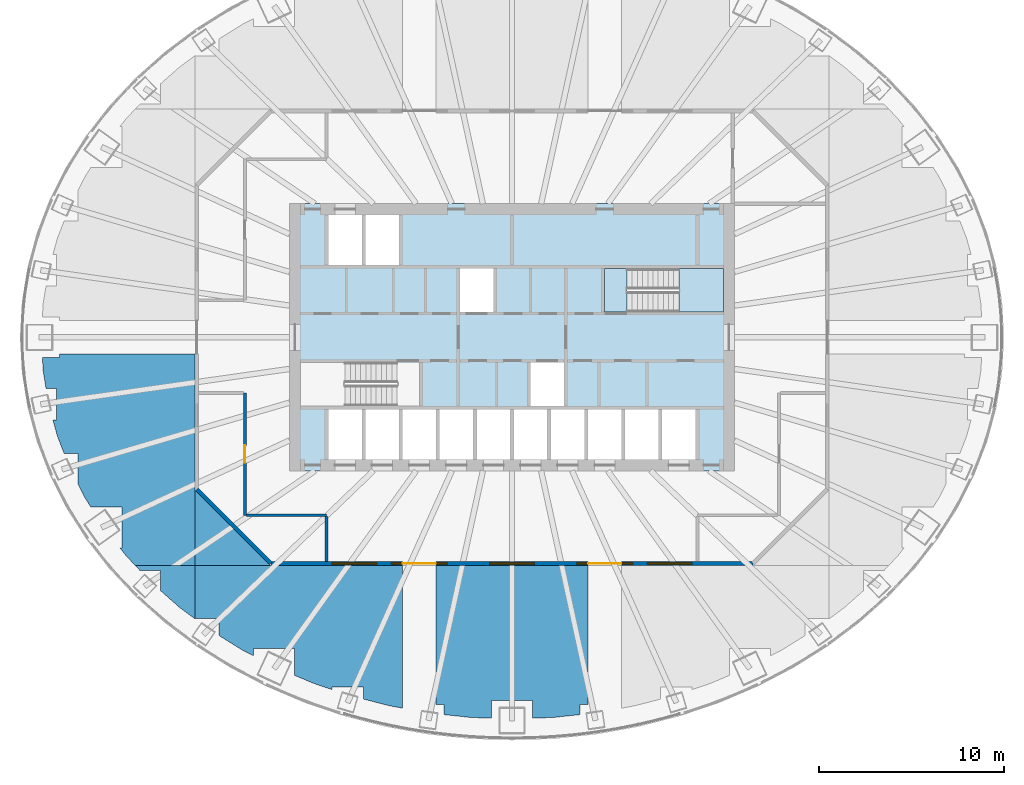
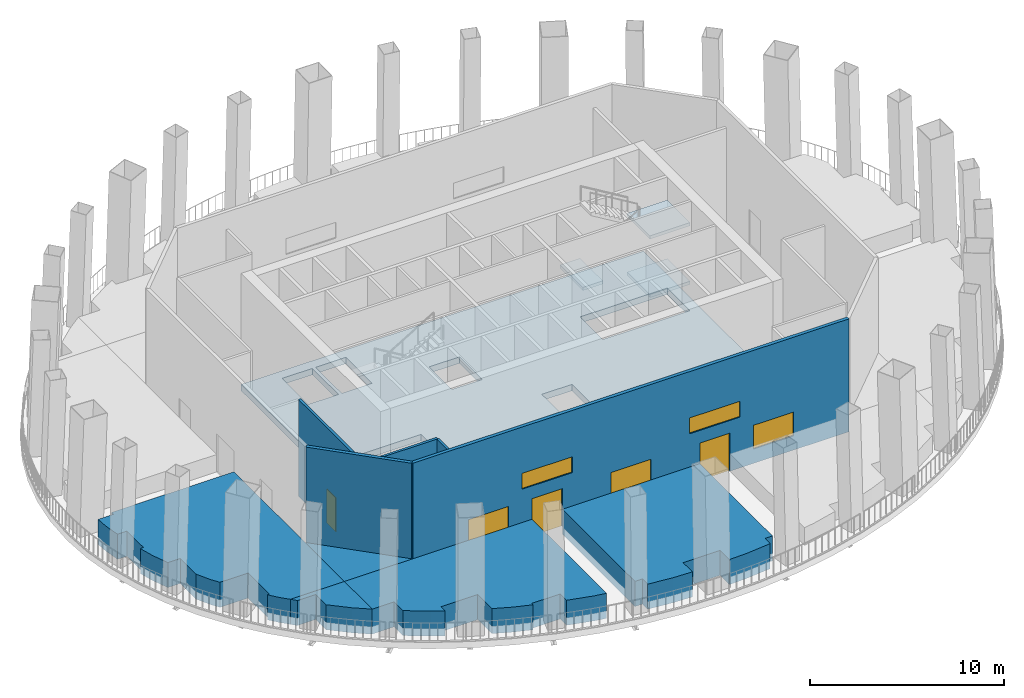
# One storey, part 3 of 13: 10 walls, 5 windows, 4 slabs, 3 doors, 8 openings, 1 element without a shape of its own.
"""IFC4 building model written with IfcOpenShell, lengths in metres."""

from ifc_helpers import new_model, si_unit, direction, frame, frame_2d, origin, place, context, subcontext, project, spatial, polyline, rectangle, outline, extrude, material, layer, layer_set, type_object, element, fill, aggregate, save


model = new_model("IFC4")

# Units and contexts
model_context = context("Model", 3, precision=1e-05, world=origin(), true_north=direction((0.0, 1.0)))
body_context = subcontext(model_context, "Body", "Model", "MODEL_VIEW")
ifc_project = project(units=[si_unit("LENGTHUNIT", "METRE"), si_unit("AREAUNIT", "SQUARE_METRE"), si_unit("VOLUMEUNIT", "CUBIC_METRE"), si_unit("PLANEANGLEUNIT", "RADIAN"), si_unit("MASSUNIT", "GRAM", prefix="KILO")], contexts=[model_context])

# Site, building, storey
site_placement = place(None, origin())
site = spatial("IfcSite", under=ifc_project, at=site_placement, CompositionType="ELEMENT")
building_placement = place(site_placement, origin())
building = spatial("IfcBuilding", under=site, at=building_placement, Name="Siaravel Broadcast Tower", CompositionType="ELEMENT")
storey_placement = place(building_placement, frame((0.0, 0.0, 85.199951171875)))
storey = spatial("IfcBuildingStorey", under=building, at=storey_placement, Name="L20", CompositionType="ELEMENT", Elevation=85.199951171875)

# Slab
ifc_material_1 = material(Name="Concrete C40/50", Category="concrete")
ifc_layer_1 = layer(ifc_material_1, 0.39990234375)
ifc_layer_set_1 = layer_set([ifc_layer_1], Name="Concrete C40/50")
slab_type_1 = type_object("IfcSlabType", Name="Core floor slab 400", PredefinedType="FLOOR", material=ifc_layer_set_1)
slab_1_placement = place(storey_placement, frame((0.0, 0.0, -0.39990234375)))
element("IfcSlab", 1, at=slab_1_placement, inside=storey, type_object=slab_type_1, Name="L20 core floor", PredefinedType="FLOOR", context=body_context, shape_type="SweptSolid", body=[
    extrude(outline(polyline([(-12.0, -7.199951171875), (-12.0, 7.199951171875), (12.0, 7.199951171875), (12.0, -7.199951171875), (-12.0, -7.199951171875)]), holes=[polyline([(11.3994140625, 1.3505859375), (11.3994140625, 3.699462890625), (6.200439453125, 3.699462890625), (6.200439453125, 1.3505859375), (11.3994140625, 1.3505859375)]), polyline([(9.89990234375, -3.89990234375), (8.10009765625, -3.89990234375), (8.10009765625, -6.60009765625), (9.89990234375, -6.60009765625), (9.89990234375, -3.89990234375)]), polyline([(7.89990234375, -3.89990234375), (6.10009765625, -3.89990234375), (6.10009765625, -6.60009765625), (7.89990234375, -6.60009765625), (7.89990234375, -3.89990234375)]), polyline([(5.89990234375, -3.89990234375), (4.10009765625, -3.89990234375), (4.10009765625, -6.60009765625), (5.89990234375, -6.60009765625), (5.89990234375, -3.89990234375)]), polyline([(3.89990234375, -3.89990234375), (2.10009765625, -3.89990234375), (2.10009765625, -6.60009765625), (3.89990234375, -6.60009765625), (3.89990234375, -3.89990234375)]), polyline([(2.800048828125, -1.35009765625), (1.0, -1.35009765625), (1.0, -3.699951171875), (2.800048828125, -3.699951171875), (2.800048828125, -1.35009765625)]), polyline([(1.89990234375, -3.89990234375), (0.10009765625, -3.89990234375), (0.10009765625, -6.60009765625), (1.89990234375, -6.60009765625), (1.89990234375, -3.89990234375)]), polyline([(-0.10009765625, -3.89990234375), (-1.89990234375, -3.89990234375), (-1.89990234375, -6.60009765625), (-0.10009765625, -6.60009765625), (-0.10009765625, -3.89990234375)]), polyline([(-1.0, 3.699951171875), (-2.800048828125, 3.699951171875), (-2.800048828125, 1.35009765625), (-1.0, 1.35009765625), (-1.0, 3.699951171875)]), polyline([(-2.10009765625, -3.89990234375), (-3.89990234375, -3.89990234375), (-3.89990234375, -6.60009765625), (-2.10009765625, -6.60009765625), (-2.10009765625, -3.89990234375)]), polyline([(-4.10009765625, -3.89990234375), (-5.89990234375, -3.89990234375), (-5.89990234375, -6.60009765625), (-4.10009765625, -6.60009765625), (-4.10009765625, -3.89990234375)]), polyline([(-6.10009765625, -3.89990234375), (-7.89990234375, -3.89990234375), (-7.89990234375, -6.60009765625), (-6.10009765625, -6.60009765625), (-6.10009765625, -3.89990234375)]), polyline([(-6.10009765625, 6.60009765625), (-7.89990234375, 6.60009765625), (-7.89990234375, 3.89990234375), (-6.10009765625, 3.89990234375), (-6.10009765625, 6.60009765625)]), polyline([(-11.3994140625, -1.3505859375), (-11.3994140625, -3.699462890625), (-6.200439453125, -3.699462890625), (-6.200439453125, -1.3505859375), (-11.3994140625, -1.3505859375)]), polyline([(-8.10009765625, -3.89990234375), (-9.89990234375, -3.89990234375), (-9.89990234375, -6.60009765625), (-8.10009765625, -6.60009765625), (-8.10009765625, -3.89990234375)]), polyline([(-8.10009765625, 6.60009765625), (-9.89990234375, 6.60009765625), (-9.89990234375, 3.89990234375), (-8.10009765625, 3.89990234375), (-8.10009765625, 6.60009765625)])]), origin(), (0.0, 0.0, 1.0), 0.39990234375),
])

# Stair, slabs
stair_type = type_object("IfcStairType", Name="Core exit stair", PredefinedType="HALF_TURN_STAIR", material=ifc_material_1)
stair_placement = place(storey_placement, origin())
stair = element("IfcStair", 2, at=stair_placement, inside=storey, type_object=stair_type, Name="L20 Exit stair ST-2", PredefinedType="HALF_TURN_STAIR")
ifc_layer_2 = layer(ifc_material_1, 0.199951171875)
ifc_layer_set_2 = layer_set([ifc_layer_2], Name="Concrete C40/50")
slab_type_2 = type_object("IfcSlabType", Name="Stair landing", PredefinedType="LANDING", material=ifc_layer_set_2)
slab_2_placement = place(storey_placement, frame((0.0, 0.0, 1.650146484375)))
slab_2 = element("IfcSlab", 3, at=slab_2_placement, type_object=slab_type_2, Name="ST-2 landing 1", PredefinedType="LANDING", context=body_context, shape_type="SweptSolid", body=[
    extrude(outline(polyline([(9.0, 1.35009765625), (11.39990234375, 1.35009765625), (11.39990234375, 3.699951171875), (9.0, 3.699951171875), (9.0, 1.35009765625)])), origin(), (0.0, 0.0, 1.0), 0.199951171875),
])
slab_3_placement = place(storey_placement, frame((0.0, 0.0, 3.5)))
slab_3 = element("IfcSlab", 4, at=slab_3_placement, type_object=slab_type_2, Name="ST-2 landing 2", PredefinedType="LANDING", context=body_context, shape_type="SweptSolid", body=[
    extrude(outline(polyline([(5.0, 1.35009765625), (6.199951171875, 1.35009765625), (6.199951171875, 3.699951171875), (5.0, 3.699951171875), (5.0, 1.35009765625)])), origin(), (0.0, 0.0, 1.0), 0.199951171875),
])
slab_4_placement = place(storey_placement, frame((0.0, 0.0, 5.35009765625)))
slab_4 = element("IfcSlab", 5, at=slab_4_placement, type_object=slab_type_2, Name="ST-2 landing 3", PredefinedType="LANDING", context=body_context, shape_type="SweptSolid", body=[
    extrude(outline(polyline([(9.0, 1.35009765625), (11.39990234375, 1.35009765625), (11.39990234375, 3.699951171875), (9.0, 3.699951171875), (9.0, 1.35009765625)])), origin(), (0.0, 0.0, 1.0), 0.199951171875),
])
aggregate(stair, [slab_2, slab_3, slab_4])

# Wall, opening, door
ifc_material_2 = material(Name="Gypsum board partition", Category="gypsum")
ifc_layer_3 = layer(ifc_material_2, 0.14990234375)
ifc_layer_set_3 = layer_set([ifc_layer_3], Name="Gypsum board partition")
wall_type_1 = type_object("IfcWallType", Name="Corridor wall 150", PredefinedType="PARTITIONING", material=ifc_layer_set_3)
wall_1_placement = place(storey_placement, frame((-14.39990234375, -9.60009765625, 0.0), z_axis=(0.0, 0.0, 1.0), x_axis=(0.0, 1.0, 0.0)))
wall_1 = element("IfcWall", 6, at=wall_1_placement, inside=storey, type_object=wall_type_1, Name="L20 partition 2", PredefinedType="PARTITIONING", context=body_context, shape_type="SweptSolid", body=[
    extrude(rectangle(XDim=6.60009765625, YDim=0.14990234375, at=frame_2d((3.300048828125, 0.0))), origin(), (0.0, 0.0, 1.0), 6.10009765625),
])
opening_1_placement = place(wall_1_placement, frame((2.824951171875, 0.0, 0.0)))
opening_1 = element("IfcOpeningElement", 7, at=opening_1_placement, cuts=wall_1, Name="Opening L20-003", PredefinedType="OPENING", context=body_context, shape_type="SweptSolid", body=[
    extrude(rectangle(XDim=0.949951171875, YDim=2.14990234375, at=frame_2d((0.47509765625, 1.074951171875))), frame((0.0, 0.0849609375, 0.0), z_axis=(0.0, -1.0, 0.0), x_axis=(1.0, 0.0, 0.0)), (0.0, 0.0, 1.0), 0.169921875),
])
ifc_material_3 = material(Name="Timber veneer", Category="wood")
door_type_1 = type_object("IfcDoorType", Name="Office door 950", OperationType="SINGLE_SWING_LEFT", PredefinedType="DOOR", material=ifc_material_3)
door_1_placement = place(opening_1_placement, origin())
door_1 = element("IfcDoor", 8, at=door_1_placement, inside=storey, type_object=door_type_1, Name="L20 door to Presenter studio", OperationType="SINGLE_SWING_LEFT", OverallHeight=2.14990234375, OverallWidth=0.949951171875, PredefinedType="DOOR", context=body_context, shape_type="SweptSolid", body=[
    extrude(rectangle(XDim=0.949951171875, YDim=2.14990234375, at=frame_2d((0.47509765625, 1.074951171875))), frame((0.0, 0.02490234375, 0.0), z_axis=(0.0, -1.0, 0.0), x_axis=(1.0, 0.0, 0.0)), (0.0, 0.0, 1.0), 0.050048828125),
])
fill(opening_1, door_1)

# Walls
wall_2_placement = place(storey_placement, frame((-10.0, -9.60009765625, 0.0), z_axis=(0.0, 0.0, 1.0), x_axis=(-1.0, 0.0, 0.0)))
element("IfcWall", 9, at=wall_2_placement, inside=storey, type_object=wall_type_1, Name="L20 partition 7", PredefinedType="PARTITIONING", context=body_context, shape_type="SweptSolid", body=[
    extrude(rectangle(XDim=4.322998046875, YDim=0.14990234375, at=frame_2d((2.16162109375, 0.0))), origin(), (0.0, 0.0, 1.0), 6.10009765625),
])
wall_3_placement = place(storey_placement, frame((-10.0, -12.10009765625, 0.0), z_axis=(0.0, 0.0, 1.0), x_axis=(0.0, 1.0, 0.0)))
element("IfcWall", 10, at=wall_3_placement, inside=storey, type_object=wall_type_1, Name="L20 partition 9", PredefinedType="PARTITIONING", context=body_context, shape_type="SweptSolid", body=[
    extrude(rectangle(XDim=2.423095703125, YDim=0.14990234375, at=frame_2d((1.21142578125, 0.0))), origin(), (0.0, 0.0, 1.0), 6.10009765625),
])
ifc_layer_4 = layer(ifc_material_1, 1.0)
ifc_layer_set_4 = layer_set([ifc_layer_4], Name="Concrete C40/50")
wall_type_2 = type_object("IfcWallType", Name="Garden planter box", PredefinedType="ELEMENTEDWALL", material=ifc_layer_set_4)
wall_4_placement = place(storey_placement, frame((0.0, 0.0, -0.39990234375)))
element("IfcWall", 11, at=wall_4_placement, inside=storey, type_object=wall_type_2, Name="L20 garden planting bed 01", PredefinedType="ELEMENTEDWALL", context=body_context, shape_type="SweptSolid", body=[
    extrude(outline(polyline([(1.10009765625, -20.541748046875), (2.2119140625, -20.502197265625), (3.653564453125, -20.348388671875), (3.653564453125, -19.810302734375), (4.10009765625, -19.810302734375), (4.10009765625, -12.300048828125), (-4.10009765625, -12.300048828125), (-4.10009765625, -19.810302734375), (-3.653564453125, -19.810302734375), (-3.653564453125, -20.348388671875), (-2.2119140625, -20.502197265625), (-1.10009765625, -20.541748046875), (-1.10009765625, -19.5830078125), (1.10009765625, -19.5830078125), (1.10009765625, -20.541748046875)])), origin(), (0.0, 0.0, 1.0), 1.579833984375),
])
wall_5_placement = place(storey_placement, frame((0.0, 0.0, -0.39990234375)))
element("IfcWall", 12, at=wall_5_placement, inside=storey, type_object=wall_type_2, Name="L20 garden planting bed 02", PredefinedType="ELEMENTEDWALL", context=body_context, shape_type="SweptSolid", body=[
    extrude(outline(polyline([(-8.016845703125, -19.509033203125), (-6.568603515625, -19.87939453125), (-5.89990234375, -19.99951171875), (-5.89990234375, -12.300048828125), (-13.04150390625, -12.300048828125), (-17.10009765625, -12.300048828125), (-17.10009765625, -15.177490234375), (-15.790771484375, -15.177490234375), (-15.790771484375, -16.091064453125), (-14.556884765625, -16.858642578125), (-13.926513671875, -17.184326171875), (-13.926513671875, -16.770263671875), (-11.726318359375, -16.770263671875), (-11.726318359375, -18.22998046875), (-10.725830078125, -18.65234375), (-9.716796875, -18.9912109375), (-9.716796875, -18.852783203125), (-8.016845703125, -18.852783203125), (-8.016845703125, -19.509033203125)])), origin(), (0.0, 0.0, 1.0), 1.579833984375),
])
wall_6_placement = place(storey_placement, frame((0.0, 0.0, -0.39990234375)))
element("IfcWall", 13, at=wall_6_placement, inside=storey, type_object=wall_type_2, Name="L20 garden planting bed 04", PredefinedType="ELEMENTEDWALL", context=body_context, shape_type="SweptSolid", body=[
    extrude(outline(polyline([(-17.10009765625, -15.177490234375), (-17.10009765625, -12.300048828125), (-20.32080078125, -12.300048828125), (-20.056396484375, -12.579345703125), (-18.962890625, -12.579345703125), (-18.962890625, -13.652587890625), (-17.94580078125, -14.552734375), (-17.10498046875, -15.177490234375), (-17.10009765625, -15.177490234375)])), origin(), (0.0, 0.0, 1.0), 1.579833984375),
])
wall_7_placement = place(storey_placement, frame((0.0, 0.0, -0.39990234375)))
element("IfcWall", 14, at=wall_7_placement, inside=storey, type_object=wall_type_2, Name="L20 garden planting bed 06", PredefinedType="ELEMENTEDWALL", context=body_context, shape_type="SweptSolid", body=[
    extrude(outline(polyline([(-17.10009765625, -8.241455078125), (-17.10009765625, -12.300048828125), (-13.04150390625, -12.300048828125), (-17.10009765625, -8.241455078125)])), origin(), (0.0, 0.0, 1.0), 1.579833984375),
])
wall_8_placement = place(storey_placement, frame((0.0, 0.0, -0.39990234375)))
element("IfcWall", 15, at=wall_8_placement, inside=storey, type_object=wall_type_2, Name="L20 garden planting bed 08", PredefinedType="ELEMENTEDWALL", context=body_context, shape_type="SweptSolid", body=[
    extrude(outline(polyline([(-20.32080078125, -12.300048828125), (-17.10009765625, -12.300048828125), (-17.10009765625, -8.241455078125), (-17.10009765625, -0.89990234375), (-24.393310546875, -0.89990234375), (-24.393310546875, -1.10009765625), (-25.3203125, -1.10009765625), (-25.28271484375, -1.793701171875), (-25.125244140625, -2.76416015625), (-24.557373046875, -2.76416015625), (-24.557373046875, -4.464111328125), (-24.75048828125, -4.464111328125), (-24.5146484375, -5.32666015625), (-24.145751953125, -6.275390625), (-23.40869140625, -6.275390625), (-23.40869140625, -7.900634765625), (-23.00146484375, -8.69775390625), (-22.706298828125, -9.15771484375), (-21.031494140625, -9.15771484375), (-21.031494140625, -11.35791015625), (-21.140380859375, -11.35791015625), (-20.78955078125, -11.804443359375), (-20.32080078125, -12.300048828125)])), origin(), (0.0, 0.0, 1.0), 1.579833984375),
])

# Wall, openings, doors, windows
ifc_layer_5 = layer(ifc_material_1, 0.199951171875)
ifc_layer_set_5 = layer_set([ifc_layer_5], Name="Concrete C40/50")
wall_type_3 = type_object("IfcWallType", Name="Sky lobby enclosure wall", PredefinedType="STANDARD", material=ifc_layer_set_5)
wall_9_placement = place(storey_placement, frame((13.0, -12.199951171875, 0.080078125), z_axis=(0.0, 0.0, 1.0), x_axis=(-1.0, 0.0, 0.0)))
wall_9 = element("IfcWall", 16, at=wall_9_placement, inside=storey, type_object=wall_type_3, Name="L20 sky lobby enclosure wall S", PredefinedType="STANDARD", context=body_context, shape_type="SweptSolid", body=[
    extrude(rectangle(XDim=26.0, YDim=0.199951171875, at=frame_2d((13.0, 0.0))), origin(), (0.0, 0.0, 1.0), 7.119873046875),
])
opening_2_placement = place(wall_9_placement, frame((7.10009765625, 0.0, 0.0)))
opening_2 = element("IfcOpeningElement", 17, at=opening_2_placement, cuts=wall_9, Name="Opening L20-GDN-S1", PredefinedType="OPENING", context=body_context, shape_type="SweptSolid", body=[
    extrude(rectangle(XDim=1.800048828125, YDim=2.39990234375, at=frame_2d((0.89990234375, 1.199951171875))), frame((0.0, 0.10986328125, 0.0), z_axis=(0.0, -1.0, 0.0), x_axis=(1.0, 0.0, 0.0)), (0.0, 0.0, 1.0), 0.219970703125),
])
opening_3_placement = place(wall_9_placement, frame((17.10009765625, 0.0, 0.0)))
opening_3 = element("IfcOpeningElement", 18, at=opening_3_placement, cuts=wall_9, Name="Opening L20-GDN-S2", PredefinedType="OPENING", context=body_context, shape_type="SweptSolid", body=[
    extrude(rectangle(XDim=1.800048828125, YDim=2.39990234375, at=frame_2d((0.89990234375, 1.199951171875))), frame((0.0, 0.10986328125, 0.0), z_axis=(0.0, -1.0, 0.0), x_axis=(1.0, 0.0, 0.0)), (0.0, 0.0, 1.0), 0.219970703125),
])
opening_4_placement = place(wall_9_placement, frame((3.300048828125, 0.0, 0.89990234375)))
opening_4 = element("IfcOpeningElement", 19, at=opening_4_placement, cuts=wall_9, Name="Opening WX-1", PredefinedType="OPENING", context=body_context, shape_type="SweptSolid", body=[
    extrude(rectangle(XDim=2.39990234375, YDim=1.5, at=frame_2d((1.199951171875, 0.75))), frame((0.0, 0.10986328125, 0.0), z_axis=(0.0, -1.0, 0.0), x_axis=(1.0, 0.0, 0.0)), (0.0, 0.0, 1.0), 0.219970703125),
])
opening_5_placement = place(wall_9_placement, frame((11.800048828125, 0.0, 0.89990234375)))
opening_5 = element("IfcOpeningElement", 20, at=opening_5_placement, cuts=wall_9, Name="Opening WX-1", PredefinedType="OPENING", context=body_context, shape_type="SweptSolid", body=[
    extrude(rectangle(XDim=2.39990234375, YDim=1.5, at=frame_2d((1.199951171875, 0.75))), frame((0.0, 0.10986328125, 0.0), z_axis=(0.0, -1.0, 0.0), x_axis=(1.0, 0.0, 0.0)), (0.0, 0.0, 1.0), 0.219970703125),
])
opening_6_placement = place(wall_9_placement, frame((20.300048828125, 0.0, 0.89990234375)))
opening_6 = element("IfcOpeningElement", 21, at=opening_6_placement, cuts=wall_9, Name="Opening WX-1", PredefinedType="OPENING", context=body_context, shape_type="SweptSolid", body=[
    extrude(rectangle(XDim=2.39990234375, YDim=1.5, at=frame_2d((1.199951171875, 0.75))), frame((0.0, 0.10986328125, 0.0), z_axis=(0.0, -1.0, 0.0), x_axis=(1.0, 0.0, 0.0)), (0.0, 0.0, 1.0), 0.219970703125),
])
opening_7_placement = place(wall_9_placement, frame((6.5, 0.0, 3.199951171875)))
opening_7 = element("IfcOpeningElement", 22, at=opening_7_placement, cuts=wall_9, Name="Opening WX-3", PredefinedType="OPENING", context=body_context, shape_type="SweptSolid", body=[
    extrude(rectangle(XDim=3.0, YDim=1.0, at=frame_2d((1.5, 0.5))), frame((0.0, 0.10986328125, 0.0), z_axis=(0.0, -1.0, 0.0), x_axis=(1.0, 0.0, 0.0)), (0.0, 0.0, 1.0), 0.219970703125),
])
opening_8_placement = place(wall_9_placement, frame((16.5, 0.0, 3.199951171875)))
opening_8 = element("IfcOpeningElement", 23, at=opening_8_placement, cuts=wall_9, Name="Opening WX-3", PredefinedType="OPENING", context=body_context, shape_type="SweptSolid", body=[
    extrude(rectangle(XDim=3.0, YDim=1.0, at=frame_2d((1.5, 0.5))), frame((0.0, 0.10986328125, 0.0), z_axis=(0.0, -1.0, 0.0), x_axis=(1.0, 0.0, 0.0)), (0.0, 0.0, 1.0), 0.219970703125),
])
ifc_material_4 = material(Name="Aluminium 6063-T6", Category="aluminium")
door_type_2 = type_object("IfcDoorType", Name="Garden door", OperationType="DOUBLE_DOOR_SINGLE_SWING", PredefinedType="DOOR", material=ifc_material_4)
door_2_placement = place(opening_2_placement, origin())
door_2 = element("IfcDoor", 24, at=door_2_placement, inside=storey, type_object=door_type_2, Name="L20 garden door S1", OperationType="DOUBLE_DOOR_SINGLE_SWING", OverallHeight=2.39990234375, OverallWidth=1.800048828125, PredefinedType="DOOR", context=body_context, shape_type="SweptSolid", body=[
    extrude(rectangle(XDim=1.800048828125, YDim=2.39990234375, at=frame_2d((0.89990234375, 1.199951171875))), frame((0.0, 0.02490234375, 0.0), z_axis=(0.0, -1.0, 0.0), x_axis=(1.0, 0.0, 0.0)), (0.0, 0.0, 1.0), 0.050048828125),
])
fill(opening_2, door_2)
door_3_placement = place(opening_3_placement, origin())
door_3 = element("IfcDoor", 25, at=door_3_placement, inside=storey, type_object=door_type_2, Name="L20 garden door S2", OperationType="DOUBLE_DOOR_SINGLE_SWING", OverallHeight=2.39990234375, OverallWidth=1.800048828125, PredefinedType="DOOR", context=body_context, shape_type="SweptSolid", body=[
    extrude(rectangle(XDim=1.800048828125, YDim=2.39990234375, at=frame_2d((0.89990234375, 1.199951171875))), frame((0.0, 0.02490234375, 0.0), z_axis=(0.0, -1.0, 0.0), x_axis=(1.0, 0.0, 0.0)), (0.0, 0.0, 1.0), 0.050048828125),
])
fill(opening_3, door_3)
window_type_1 = type_object("IfcWindowType", Name="Sky lobby clerestory window 3000x1000", PartitioningType="SINGLE_PANEL", PredefinedType="WINDOW", material=ifc_material_4)
window_1_placement = place(opening_7_placement, origin())
window_1 = element("IfcWindow", 26, at=window_1_placement, inside=storey, type_object=window_type_1, Name="L20 sky lobby clerestory window S1", OverallHeight=1.0, OverallWidth=3.0, PartitioningType="SINGLE_PANEL", PredefinedType="WINDOW", context=body_context, shape_type="SweptSolid", body=[
    extrude(rectangle(XDim=3.0, YDim=1.0, at=frame_2d((1.5, 0.5))), frame((0.0, 0.030029296875, 0.0), z_axis=(0.0, -1.0, 0.0), x_axis=(1.0, 0.0, 0.0)), (0.0, 0.0, 1.0), 0.06005859375),
])
fill(opening_7, window_1)
window_2_placement = place(opening_8_placement, origin())
window_2 = element("IfcWindow", 27, at=window_2_placement, inside=storey, type_object=window_type_1, Name="L20 sky lobby clerestory window S2", OverallHeight=1.0, OverallWidth=3.0, PartitioningType="SINGLE_PANEL", PredefinedType="WINDOW", context=body_context, shape_type="SweptSolid", body=[
    extrude(rectangle(XDim=3.0, YDim=1.0, at=frame_2d((1.5, 0.5))), frame((0.0, 0.030029296875, 0.0), z_axis=(0.0, -1.0, 0.0), x_axis=(1.0, 0.0, 0.0)), (0.0, 0.0, 1.0), 0.06005859375),
])
fill(opening_8, window_2)
window_type_2 = type_object("IfcWindowType", Name="Sky lobby picture window 2400x1500", PartitioningType="SINGLE_PANEL", PredefinedType="WINDOW", material=ifc_material_4)
window_3_placement = place(opening_4_placement, origin())
window_3 = element("IfcWindow", 28, at=window_3_placement, inside=storey, type_object=window_type_2, Name="L20 sky lobby window S1", OverallHeight=1.5, OverallWidth=2.39990234375, PartitioningType="SINGLE_PANEL", PredefinedType="WINDOW", context=body_context, shape_type="SweptSolid", body=[
    extrude(rectangle(XDim=2.39990234375, YDim=1.5, at=frame_2d((1.199951171875, 0.75))), frame((0.0, 0.030029296875, 0.0), z_axis=(0.0, -1.0, 0.0), x_axis=(1.0, 0.0, 0.0)), (0.0, 0.0, 1.0), 0.06005859375),
])
fill(opening_4, window_3)
window_4_placement = place(opening_5_placement, origin())
window_4 = element("IfcWindow", 29, at=window_4_placement, inside=storey, type_object=window_type_2, Name="L20 sky lobby window S2", OverallHeight=1.5, OverallWidth=2.39990234375, PartitioningType="SINGLE_PANEL", PredefinedType="WINDOW", context=body_context, shape_type="SweptSolid", body=[
    extrude(rectangle(XDim=2.39990234375, YDim=1.5, at=frame_2d((1.199951171875, 0.75))), frame((0.0, 0.030029296875, 0.0), z_axis=(0.0, -1.0, 0.0), x_axis=(1.0, 0.0, 0.0)), (0.0, 0.0, 1.0), 0.06005859375),
])
fill(opening_5, window_4)
window_5_placement = place(opening_6_placement, origin())
window_5 = element("IfcWindow", 30, at=window_5_placement, inside=storey, type_object=window_type_2, Name="L20 sky lobby window S3", OverallHeight=1.5, OverallWidth=2.39990234375, PartitioningType="SINGLE_PANEL", PredefinedType="WINDOW", context=body_context, shape_type="SweptSolid", body=[
    extrude(rectangle(XDim=2.39990234375, YDim=1.5, at=frame_2d((1.199951171875, 0.75))), frame((0.0, 0.030029296875, 0.0), z_axis=(0.0, -1.0, 0.0), x_axis=(1.0, 0.0, 0.0)), (0.0, 0.0, 1.0), 0.06005859375),
])
fill(opening_6, window_5)

# Wall
wall_10_placement = place(storey_placement, frame((-13.0, -12.199951171875, 0.080078125), z_axis=(0.0, 0.0, 1.0), x_axis=(-0.707106781, 0.707106781, 0.0)))
element("IfcWall", 31, at=wall_10_placement, inside=storey, type_object=wall_type_3, Name="L20 sky lobby enclosure wall SW", PredefinedType="STANDARD", context=body_context, shape_type="SweptSolid", body=[
    extrude(rectangle(XDim=5.65673828125, YDim=0.199951171875, at=frame_2d((2.828369140625, 0.0))), origin(), (0.0, 0.0, 1.0), 7.119873046875),
])

save(model, "model.ifc")
